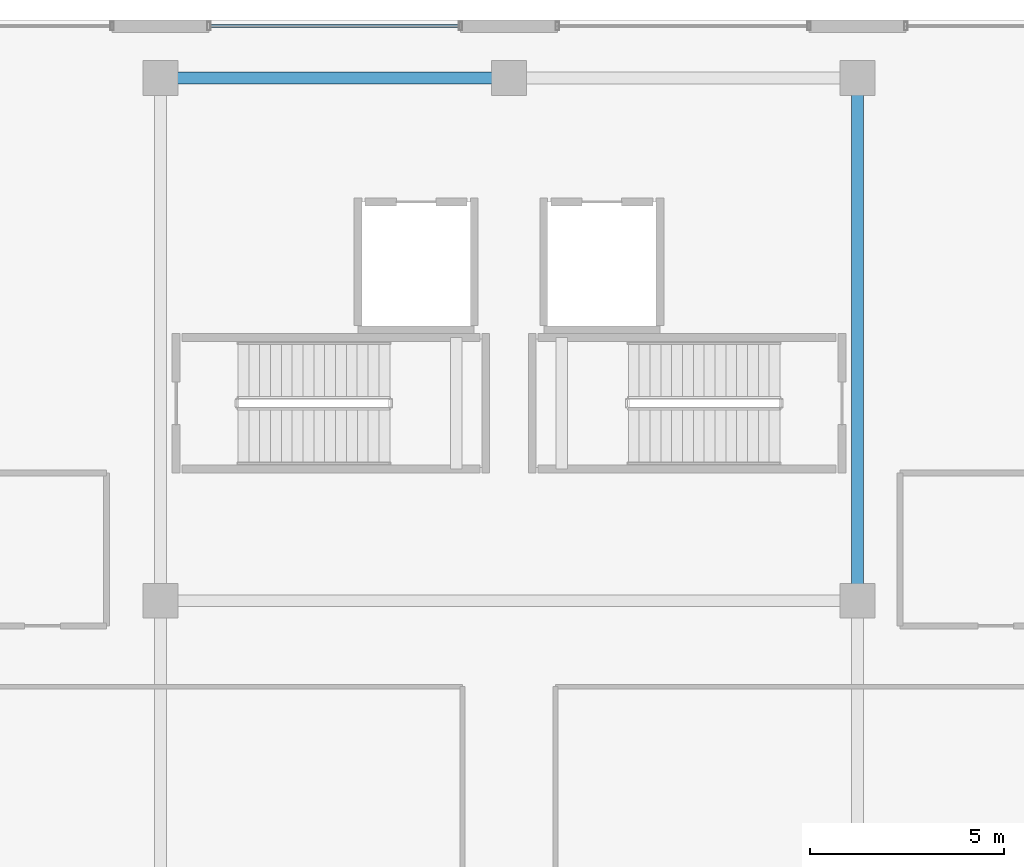
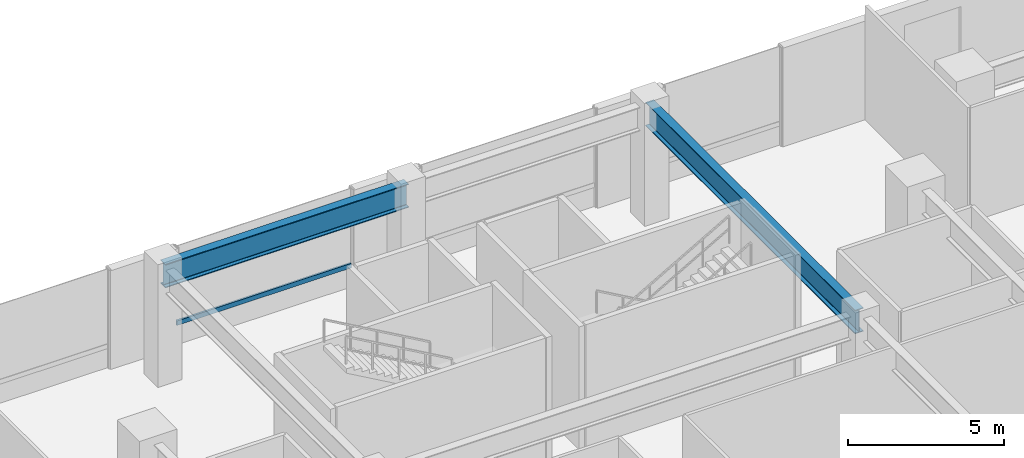
# One storey, part 5 of 22: 2 beams, 1 member, 1 element without a shape of its own.
"""IFC4 building model written with IfcOpenShell, lengths in metres."""

from ifc_helpers import new_model, si_unit, direction, frame, origin, origin_2d, place, context, subcontext, project, spatial, hollow_rectangle, i_section, extrude, material, material_profile, profile_set, type_object, element, aggregate, save


model = new_model("IFC4")

# Units and contexts
model_context = context("Model", 3, precision=1e-05, world=origin(), true_north=direction((0.0, 1.0)))
body_context = subcontext(model_context, "Body", "Model", "MODEL_VIEW")
ifc_project = project(units=[si_unit("LENGTHUNIT", "METRE"), si_unit("AREAUNIT", "SQUARE_METRE"), si_unit("VOLUMEUNIT", "CUBIC_METRE"), si_unit("PLANEANGLEUNIT", "RADIAN"), si_unit("MASSUNIT", "GRAM", prefix="KILO")], contexts=[model_context])

# Site, building, storey
site_placement = place(None, origin())
site = spatial("IfcSite", under=ifc_project, at=site_placement, CompositionType="ELEMENT")
building_placement = place(site_placement, origin())
building = spatial("IfcBuilding", under=site, at=building_placement, Name="Thornwick Lancets Civic Towers", CompositionType="ELEMENT")
storey_placement = place(building_placement, frame((0.0, 0.0, 4.800048828125)))
storey = spatial("IfcBuildingStorey", under=building, at=storey_placement, Name="L01", CompositionType="ELEMENT", Elevation=4.800048828125)

# Beams
ifc_material_1 = material(Name="Steel S355JR", Category="steel")
ifc_material_profile_1 = material_profile(ifc_material_1, i_section(OverallWidth=0.3076171875, OverallDepth=0.926513671875, WebThickness=0.01953125, FlangeThickness=0.031982421875, FilletRadius=0.01904296875, at=origin_2d()), Name="UKB 914x305x289")
ifc_profile_set_1 = profile_set([ifc_material_profile_1], Name="Steel S355JR")
beam_type = type_object("IfcBeamType", Name="BM_POD_914_289", PredefinedType="BEAM", material=ifc_profile_set_1)
beam_1_placement = place(storey_placement, frame((66.0, 34.580078125, 4.0166015625), z_axis=(0.0, 1.0, 0.0), x_axis=(-1.0, 0.0, 0.0)))
element("IfcBeam", 1, at=beam_1_placement, inside=storey, type_object=beam_type, Name="BM-PODG-L01-10-13", PredefinedType="BEAM", context=body_context, shape_type="SweptSolid", body=[
    extrude(i_section(OverallWidth=0.3076171875, OverallDepth=0.926513671875, WebThickness=0.01953125, FlangeThickness=0.031982421875, FilletRadius=0.01904296875, at=origin_2d()), origin(), (0.0, 0.0, 1.0), 13.419921875),
])
beam_2_placement = place(storey_placement, frame((48.0, 48.0, 4.0166015625), z_axis=(1.0, 0.0, 0.0), x_axis=(0.0, 1.0, 0.0)))
element("IfcBeam", 2, at=beam_2_placement, inside=storey, type_object=beam_type, Name="BM-PODG-L01-11-12", PredefinedType="BEAM", context=body_context, shape_type="SweptSolid", body=[
    extrude(i_section(OverallWidth=0.3076171875, OverallDepth=0.926513671875, WebThickness=0.01953125, FlangeThickness=0.031982421875, FilletRadius=0.01904296875, at=origin_2d()), origin(), (0.0, 0.0, 1.0), 9.0),
])

# Curtain wall, member
ifc_material_2 = material(Name="Bronze aluminium Gothic lancet podium curtain wall", Category="aluminium")
curtain_wall_type = type_object("IfcCurtainWallType", Name="CW_SYS_01", PredefinedType="NOTDEFINED", material=ifc_material_2)
curtain_wall_placement = place(storey_placement, origin())
curtain_wall = element("IfcCurtainWall", 3, at=curtain_wall_placement, inside=storey, type_object=curtain_wall_type, Name="L01 Curtain Wall CW-L01-POD-NC-S3", PredefinedType="NOTDEFINED")
ifc_material_3 = material(Name="Thermally broken bronze aluminium S355", Category="steel")
ifc_material_profile_2 = material_profile(ifc_material_3, hollow_rectangle(XDim=0.074951171875, YDim=0.179931640625, WallThickness=0.006103515625, at=origin_2d()), Name="RHS 180x75x6")
ifc_profile_set_2 = profile_set([ifc_material_profile_2], Name="Thermally broken bronze aluminium S355")
member_type = type_object("IfcMemberType", Name="CW_TRN_180", PredefinedType="USERDEFINED", material=ifc_profile_set_2)
member_placement = place(storey_placement, frame((55.72998046875, 49.340087890625, 0.849853515625), z_axis=(-1.0, 0.0, 0.0), x_axis=(0.0, -1.0, 0.0)))
member = element("IfcMember", 4, at=member_placement, type_object=member_type, Name="CW-L01-POD-NC-S3 Transom 0", ObjectType="TRANSOM", PredefinedType="USERDEFINED", context=body_context, shape_type="SweptSolid", body=[
    extrude(hollow_rectangle(XDim=0.074951171875, YDim=0.179931640625, WallThickness=0.006103515625, at=origin_2d()), origin(), (0.0, 0.0, 1.0), 6.4599609375),
])
aggregate(curtain_wall, [member])

save(model, "model.ifc")
